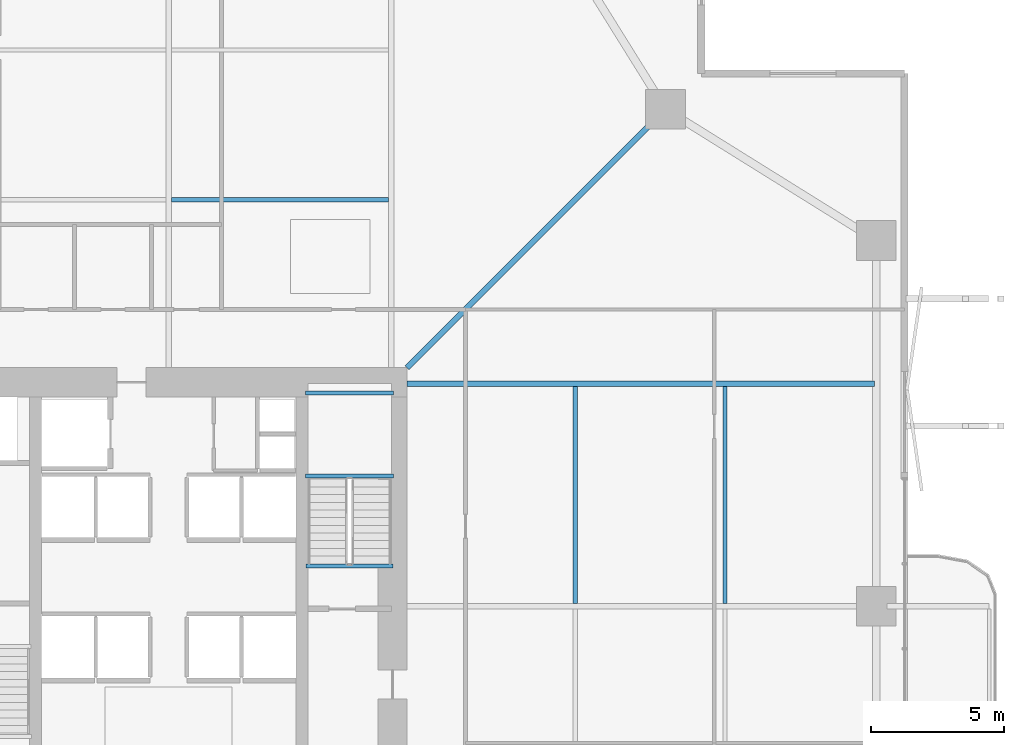
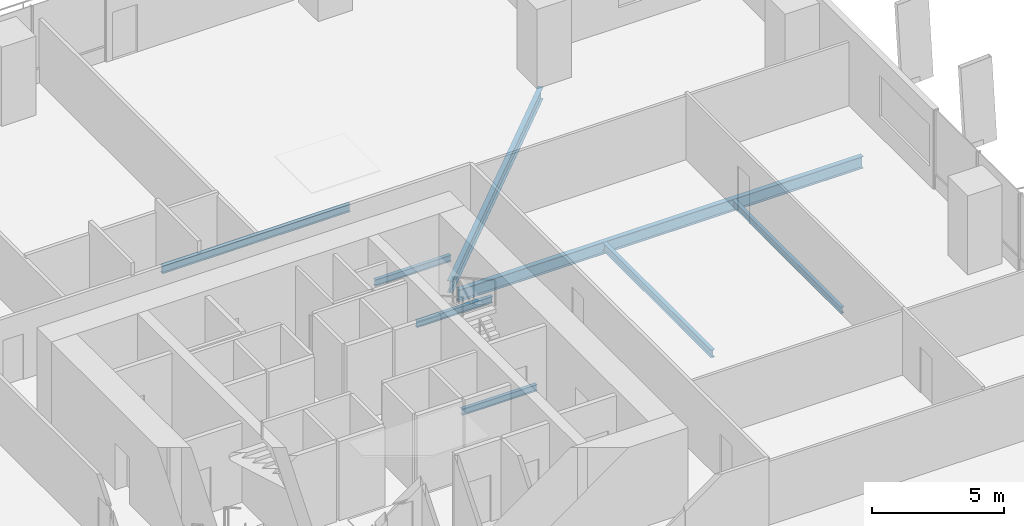
# One storey, part 12 of 23: 8 beams.
"""IFC4 building model written with IfcOpenShell, lengths in metres."""

from ifc_helpers import new_model, si_unit, direction, frame, origin, origin_2d, place, context, subcontext, project, spatial, i_section, extrude, material, material_profile, profile_set, type_object, element, save


model = new_model("IFC4")

# Units and contexts
model_context = context("Model", 3, precision=1e-05, world=origin(), true_north=direction((0.0, 1.0)))
body_context = subcontext(model_context, "Body", "Model", "MODEL_VIEW")
ifc_project = project(units=[si_unit("LENGTHUNIT", "METRE"), si_unit("AREAUNIT", "SQUARE_METRE"), si_unit("VOLUMEUNIT", "CUBIC_METRE"), si_unit("PLANEANGLEUNIT", "RADIAN"), si_unit("MASSUNIT", "GRAM", prefix="KILO")], contexts=[model_context])

# Site, building, storey
site_placement = place(None, origin())
site = spatial("IfcSite", under=ifc_project, at=site_placement, CompositionType="ELEMENT")
building_placement = place(site_placement, origin())
building = spatial("IfcBuilding", under=site, at=building_placement, Name="Belovzor Exchange Tower", CompositionType="ELEMENT")
storey_placement = place(building_placement, frame((0.0, 0.0, 41.699951171875)))
storey = spatial("IfcBuildingStorey", under=building, at=storey_placement, Name="L09", CompositionType="ELEMENT", Elevation=41.699951171875)

# Beams
ifc_material_1 = material(Name="Steel S355", Category="steel")
ifc_material_profile_1 = material_profile(ifc_material_1, i_section(OverallWidth=0.169921875, OverallDepth=0.360107421875, WebThickness=0.008056640625, FlangeThickness=0.0126953125, at=origin_2d()))
ifc_profile_set_1 = profile_set([ifc_material_profile_1], Name="Steel S355")
beam_type_1 = type_object("IfcBeamType", Name="Secondary Infill Floor Joist IPE 360", PredefinedType="BEAM", material=ifc_profile_set_1)
for number, where, z_axis, x_axis, name in (
    (1, (28.905029296875, 44.14501953125, -0.429931640625), (1.0, 0.0, 0.0), (0.0, 1.0, 0.0), "FJ-360 Secondary Infill Floor Joist IPE 360"),
    (2, (44.14501953125, 28.905029296875, -0.429931640625), (0.0, 1.0, 0.0), (-1.0, 0.0, 0.0), "FJ-360 Secondary Infill Floor Joist IPE 360"),
):
    element("IfcBeam", number, at=place(storey_placement, frame(where, z_axis=z_axis, x_axis=x_axis)), inside=storey, type_object=beam_type_1, Name=name, PredefinedType="BEAM", context=body_context, shape_type="SweptSolid", body=[
        extrude(i_section(OverallWidth=0.169921875, OverallDepth=0.360107421875, WebThickness=0.008056640625, FlangeThickness=0.0126953125, at=origin_2d()), origin(), (0.0, 0.0, 1.0), 8.18994140625),
    ])
ifc_material_2 = material(Name="Steel S355", Category="steel")
ifc_material_profile_2 = material_profile(ifc_material_2, i_section(OverallWidth=0.14990234375, OverallDepth=0.300048828125, WebThickness=0.007080078125, FlangeThickness=0.0107421875, at=origin_2d()))
ifc_profile_set_2 = profile_set([ifc_material_profile_2], Name="Steel S355")
beam_type_2 = type_object("IfcBeamType", Name="Secondary Trim Floor Joist IPE 300", PredefinedType="BEAM", material=ifc_profile_set_2)
for number, where, z_axis, x_axis, name in (
    (3, (37.280029296875, 33.7099609375, 1.60009765625), (-1.0, 0.0, 0.0), (0.0, -1.0, 0.0), "FJ-300 Secondary Trim Floor Joist IPE 300"),
    (4, (37.280029296875, 36.85009765625, 1.60009765625), (-1.0, 0.0, 0.0), (0.0, -1.0, 0.0), "FJ-300 Secondary Trim Floor Joist IPE 300"),
):
    element("IfcBeam", number, at=place(storey_placement, frame(where, z_axis=z_axis, x_axis=x_axis)), inside=storey, type_object=beam_type_2, Name=name, PredefinedType="BEAM", context=body_context, shape_type="SweptSolid", body=[
        extrude(i_section(OverallWidth=0.14990234375, OverallDepth=0.300048828125, WebThickness=0.007080078125, FlangeThickness=0.0107421875, at=origin_2d()), origin(), (0.0, 0.0, 1.0), 3.31005859375),
    ])
beam_1_placement = place(storey_placement, frame((37.260009765625, 30.320068359375, -0.39990234375), z_axis=(-1.0, 0.0, 0.0), x_axis=(0.0, -1.0, 0.0)))
element("IfcBeam", 5, at=beam_1_placement, inside=storey, type_object=beam_type_2, Name="FJ-300 Secondary Trim Floor Joist IPE 300", PredefinedType="BEAM", context=body_context, shape_type="SweptSolid", body=[
    extrude(i_section(OverallWidth=0.14990234375, OverallDepth=0.300048828125, WebThickness=0.007080078125, FlangeThickness=0.0107421875, at=origin_2d()), origin(), (0.0, 0.0, 1.0), 3.27001953125),
])
beam_2_placement = place(storey_placement, frame((49.784912109375, 28.905029296875, -0.39990234375), z_axis=(0.0, 1.0, 0.0), x_axis=(-1.0, 0.0, 0.0)))
element("IfcBeam", 6, at=beam_2_placement, inside=storey, type_object=beam_type_2, Name="FJ-300 Secondary Trim Floor Joist IPE 300", PredefinedType="BEAM", context=body_context, shape_type="SweptSolid", body=[
    extrude(i_section(OverallWidth=0.14990234375, OverallDepth=0.300048828125, WebThickness=0.007080078125, FlangeThickness=0.0107421875, at=origin_2d()), origin(), (0.0, 0.0, 1.0), 8.18994140625),
])
ifc_material_3 = material(Name="Steel S355", Category="steel")
ifc_material_profile_3 = material_profile(ifc_material_3, i_section(OverallWidth=0.2099609375, OverallDepth=0.550048828125, WebThickness=0.010986328125, FlangeThickness=0.01708984375, at=origin_2d()))
ifc_profile_set_3 = profile_set([ifc_material_profile_3], Name="Steel S355")
beam_type_3 = type_object("IfcBeamType", Name="Zone 1 Radial Composite Floor Beam IPE 550", PredefinedType="BEAM", material=ifc_profile_set_3)
beam_3_placement = place(storey_placement, frame((37.800048828125, 37.199951171875, -0.52490234375), z_axis=(1.0, 0.0, 0.0), x_axis=(0.0, 1.0, 0.0)))
element("IfcBeam", 7, at=beam_3_placement, inside=storey, type_object=beam_type_3, Name="FB-550 Zone 1 Radial Composite Floor Beam IPE 550", PredefinedType="BEAM", context=body_context, shape_type="SweptSolid", body=[
    extrude(i_section(OverallWidth=0.2099609375, OverallDepth=0.550048828125, WebThickness=0.010986328125, FlangeThickness=0.01708984375, at=origin_2d()), origin(), (0.0, 0.0, 1.0), 17.625),
])
beam_4_placement = place(storey_placement, frame((37.800048828125, 37.800048828125, -0.52490234375), z_axis=(0.707106781187, 0.707106781187, 0.0), x_axis=(-0.707106781187, 0.707106781187, 0.0)))
element("IfcBeam", 8, at=beam_4_placement, inside=storey, type_object=beam_type_3, Name="FB-550 Zone 1 Radial Composite Floor Beam IPE 550", PredefinedType="BEAM", context=body_context, shape_type="SweptSolid", body=[
    extrude(i_section(OverallWidth=0.2099609375, OverallDepth=0.550048828125, WebThickness=0.010986328125, FlangeThickness=0.01708984375, at=origin_2d()), origin(), (0.0, 0.0, 1.0), 13.25830078125),
])

save(model, "model.ifc")
